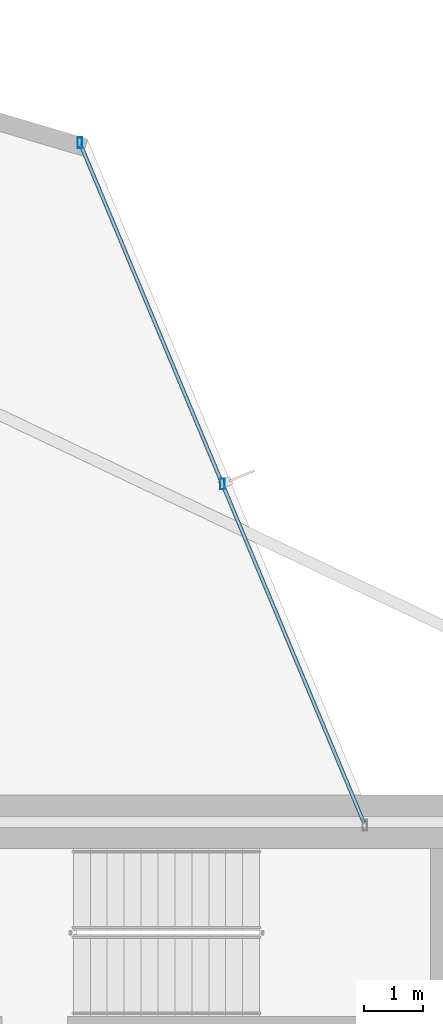
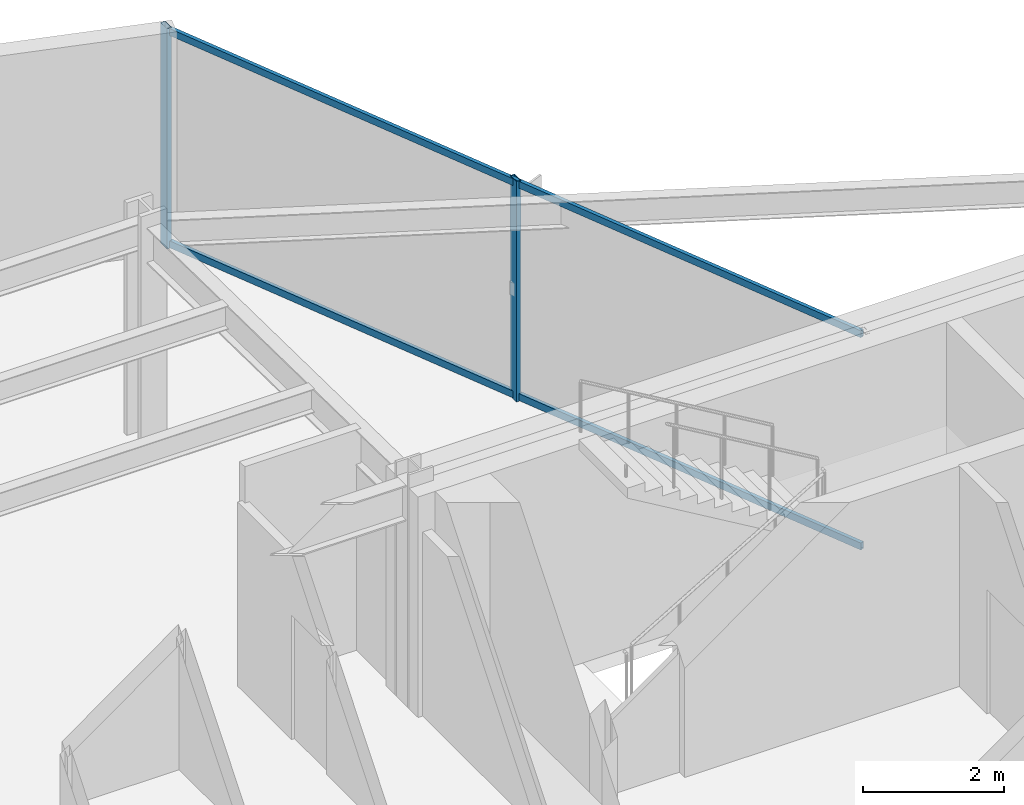
# One storey, part 18 of 25: 4 members, 1 element without a shape of its own.
"""IFC4 building model written with IfcOpenShell, lengths in metres."""

from ifc_helpers import new_model, si_unit, direction, frame, origin, origin_2d, place, context, subcontext, project, spatial, hollow_rectangle, extrude, material, layer, layer_set, material_profile, profile_set, type_object, element, aggregate, save


model = new_model("IFC4")

# Units and contexts
model_context = context("Model", 3, precision=1e-05, world=origin(), true_north=direction((0.0, 1.0)))
body_context = subcontext(model_context, "Body", "Model", "MODEL_VIEW")
ifc_project = project(units=[si_unit("LENGTHUNIT", "METRE"), si_unit("AREAUNIT", "SQUARE_METRE"), si_unit("VOLUMEUNIT", "CUBIC_METRE"), si_unit("PLANEANGLEUNIT", "RADIAN"), si_unit("MASSUNIT", "GRAM", prefix="KILO")], contexts=[model_context])

# Site, building, storey
site_placement = place(None, origin())
site = spatial("IfcSite", under=ifc_project, at=site_placement, CompositionType="ELEMENT")
building_placement = place(site_placement, origin())
building = spatial("IfcBuilding", under=site, at=building_placement, Name="Veymaron Broadcast Tower", CompositionType="ELEMENT")
storey_placement = place(building_placement, frame((0.0, 0.0, 74.25)))
storey = spatial("IfcBuildingStorey", under=building, at=storey_placement, Name="L16", CompositionType="ELEMENT", Elevation=74.25)

# Curtain wall, members
ifc_material_1 = material(Name="Anodised aluminium AA 6063-T6 and laminated low-E dark glass", Category="aluminium")
ifc_layer = layer(ifc_material_1, 0.179931640625)
ifc_layer_set = layer_set([ifc_layer], Name="Anodised aluminium AA 6063-T6 and laminated low-E dark glass")
curtain_wall_type = type_object("IfcCurtainWallType", Name="CW-SYS-02", PredefinedType="NOTDEFINED", material=ifc_layer_set)
curtain_wall_placement = place(storey_placement, origin())
curtain_wall = element("IfcCurtainWall", 1, at=curtain_wall_placement, inside=storey, type_object=curtain_wall_type, Name="L16 dark-glass curtain wall CW-L16-E5-1", PredefinedType="NOTDEFINED")
ifc_material_2 = material(Name="Anodised aluminium AA 6063-T6", Category="aluminium")
ifc_material_profile_1 = material_profile(ifc_material_2, hollow_rectangle(XDim=0.074951171875, YDim=0.179931640625, WallThickness=0.0048828125, at=origin_2d()), Name="AL180X75X5")
ifc_profile_set_1 = profile_set([ifc_material_profile_1], Name="Anodised aluminium AA 6063-T6")
member_type_1 = type_object("IfcMemberType", Name="CW-MUL-02", PredefinedType="MULLION", material=ifc_profile_set_1)
member_1_placement = place(storey_placement, frame((43.937744140625, 37.68798828125, 0.0), z_axis=(0.0, 0.0, 1.0), x_axis=(1.0, 0.0, 0.0)))
member_1 = element("IfcMember", 2, at=member_1_placement, type_object=member_type_1, Name="CW-L16-E5-1 mullion 1", PredefinedType="MULLION", context=body_context, shape_type="SweptSolid", body=[
    extrude(hollow_rectangle(XDim=0.074951171875, YDim=0.179931640625, WallThickness=0.0048828125, at=origin_2d()), origin(), (0.0, 0.0, 1.0), 3.81005859375),
])
member_2_placement = place(storey_placement, frame((41.538818359375, 43.429931640625, 0.0), z_axis=(0.0, 0.0, 1.0), x_axis=(1.0, 0.0, 0.0)))
member_2 = element("IfcMember", 3, at=member_2_placement, type_object=member_type_1, Name="CW-L16-E5-1 mullion 2", PredefinedType="MULLION", context=body_context, shape_type="SweptSolid", body=[
    extrude(hollow_rectangle(XDim=0.074951171875, YDim=0.179931640625, WallThickness=0.0048828125, at=origin_2d()), origin(), (0.0, 0.0, 1.0), 3.81005859375),
])
ifc_material_profile_2 = material_profile(ifc_material_2, hollow_rectangle(XDim=0.06005859375, YDim=0.1201171875, WallThickness=0.00390625, at=origin_2d()), Name="AL120X60X4")
ifc_profile_set_2 = profile_set([ifc_material_profile_2], Name="Anodised aluminium AA 6063-T6")
member_type_2 = type_object("IfcMemberType", Name="CW-TRN-02", PredefinedType="USERDEFINED", material=ifc_profile_set_2)
member_3_placement = place(storey_placement, frame((46.3173828125, 31.9921875, 0.070068359375), z_axis=(-0.385497017548, 0.922709081706, 0.0), x_axis=(-0.922709081706, -0.385497017548, 0.0)))
member_3 = element("IfcMember", 4, at=member_3_placement, type_object=member_type_2, Name="CW-L16-E5-1 transom B", ObjectType="TRANSOM", PredefinedType="USERDEFINED", context=body_context, shape_type="SweptSolid", body=[
    extrude(hollow_rectangle(XDim=0.06005859375, YDim=0.1201171875, WallThickness=0.00390625, at=origin_2d()), origin(), (0.0, 0.0, 1.0), 12.345703125),
])
member_4_placement = place(storey_placement, frame((46.3173828125, 31.9921875, 3.739990234375), z_axis=(-0.385497017548, 0.922709081706, 0.0), x_axis=(-0.922709081706, -0.385497017548, 0.0)))
member_4 = element("IfcMember", 5, at=member_4_placement, type_object=member_type_2, Name="CW-L16-E5-1 transom T", ObjectType="TRANSOM", PredefinedType="USERDEFINED", context=body_context, shape_type="SweptSolid", body=[
    extrude(hollow_rectangle(XDim=0.06005859375, YDim=0.1201171875, WallThickness=0.00390625, at=origin_2d()), origin(), (0.0, 0.0, 1.0), 12.345703125),
])
aggregate(curtain_wall, [member_1, member_2, member_3, member_4])

save(model, "model.ifc")
